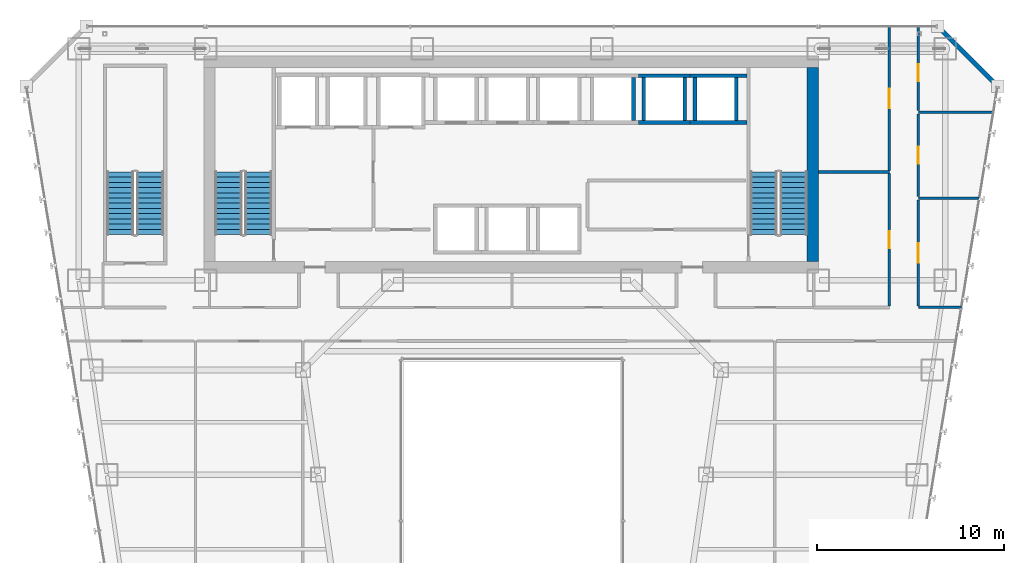
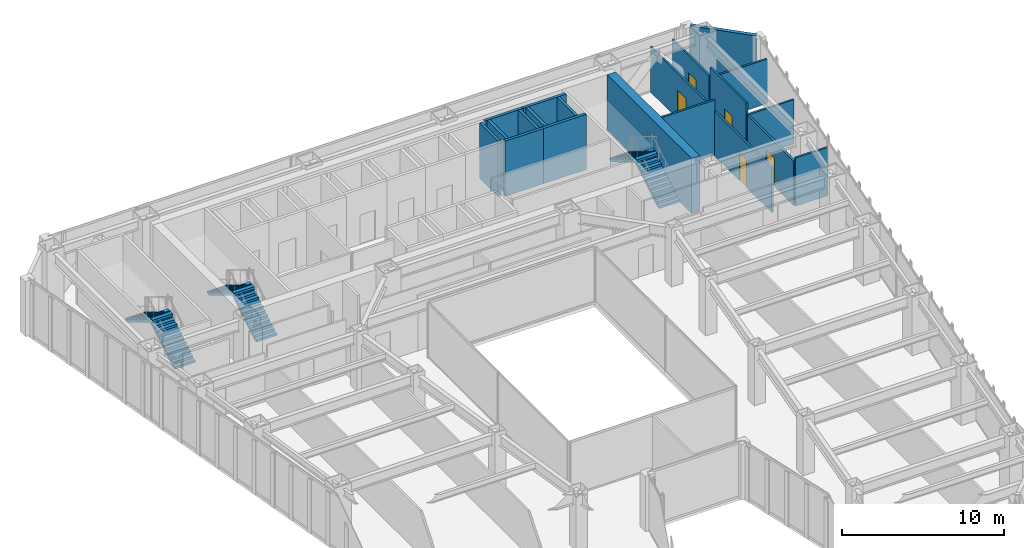
# One storey, part 38 of 47: 20 walls, 6 stair flights, 5 doors, 5 openings, 3 elements without a shape of their own.
"""IFC4 building model written with IfcOpenShell, lengths in metres."""

import ifcopenshell
import ifcopenshell.guid

model = None  # the IFC model being written
_history = None  # IfcOwnerHistory: only IFC2X3 demands one
_inside = {}  # id of a spatial element -> (the spatial element, [elements in it])
_under = {}  # id of a project, library or spatial element -> (it, [spatial elements below it])
_declared = {}  # id of a project -> (the project, [libraries it declares])
_typed = {}  # id of a type object -> (the type object, [elements of that type])
_made_of = {}  # id of a material, layer set ... -> (it, [elements and type objects made of it])


def new_model(schema):
    """Start an empty IFC model of exactly this schema.

    Asked for "IFC4X3", IfcOpenShell would pick the latest addendum, in which some entities
    have other attributes; the version numbers below select the first issue.
    IFC2X3 requires an IfcOwnerHistory on every rooted entity: one is made here for all.
    """
    global model, _history
    if schema == "IFC4X3":
        model = ifcopenshell.file(schema_version=(4, 3, 0, 0))
    else:
        model = ifcopenshell.file(schema=schema)
    _inside.clear()
    _under.clear()
    _declared.clear()
    _typed.clear()
    _made_of.clear()
    _history = None
    if model.schema == "IFC2X3":
        org = make("IfcOrganization", Name="unknown")
        user = make(
            "IfcPersonAndOrganization",
            ThePerson=make("IfcPerson", FamilyName="unknown"),
            TheOrganization=org,
        )
        app = make(
            "IfcApplication",
            ApplicationDeveloper=org,
            Version="unknown",
            ApplicationFullName="unknown",
            ApplicationIdentifier="unknown",
        )
        _history = make(
            "IfcOwnerHistory",
            OwningUser=user,
            OwningApplication=app,
            ChangeAction="ADDED",
            CreationDate=0,
        )
    return model


def make(cls, **values):
    """One entity of the class cls with the attributes given. An attribute that is None is left unset."""
    return model.create_entity(
        cls, **{name: value for name, value in values.items() if value is not None}
    )


def rooted(cls, **values):
    """An entity with a GlobalId (a new one), such as an element, a storey or a relation."""
    return make(cls, GlobalId=ifcopenshell.guid.new(), OwnerHistory=_history, **values)


def si_unit(unit_type, name, prefix=None):
    """IfcSIUnit, for example si_unit("LENGTHUNIT", "METRE", prefix="MILLI")."""
    return make("IfcSIUnit", UnitType=unit_type, Prefix=prefix, Name=name)


def assignment(units):
    """IfcUnitAssignment: the units of a project."""
    return None if units is None else make("IfcUnitAssignment", Units=units)


def point(xyz):
    """IfcCartesianPoint."""
    return None if xyz is None else make("IfcCartesianPoint", Coordinates=xyz)


def direction(xyz):
    """IfcDirection."""
    return None if xyz is None else make("IfcDirection", DirectionRatios=xyz)


def frame(location, z_axis=None, x_axis=None):
    """IfcAxis2Placement3D, a coordinate frame: its origin and axes. An axis left out is left unset."""
    return make(
        "IfcAxis2Placement3D",
        Location=point(location),
        Axis=direction(z_axis),
        RefDirection=direction(x_axis),
    )


def frame_2d(location, x_axis=None):
    """IfcAxis2Placement2D, a coordinate frame in the plane: its origin and x axis."""
    return make(
        "IfcAxis2Placement2D", Location=point(location), RefDirection=direction(x_axis)
    )


def origin():
    """The frame at (0, 0, 0) with its axes left unset."""
    return frame((0.0, 0.0, 0.0))


def place(relative_to, where):
    """IfcLocalPlacement: puts the frame where relative to a parent placement (None: the world)."""
    return make(
        "IfcLocalPlacement", PlacementRelTo=relative_to, RelativePlacement=where
    )


def context(
    kind, dimensions, precision=None, world=None, true_north=None, identifier=None
):
    """IfcGeometricRepresentationContext, for example the 3D "Model" context."""
    return make(
        "IfcGeometricRepresentationContext",
        ContextIdentifier=identifier,
        ContextType=kind,
        CoordinateSpaceDimension=dimensions,
        Precision=precision,
        WorldCoordinateSystem=world,
        TrueNorth=true_north,
    )


def subcontext(parent, identifier, kind, view, scale=None):
    """IfcGeometricRepresentationSubContext, for example "Body" below "Model"."""
    return make(
        "IfcGeometricRepresentationSubContext",
        ContextIdentifier=identifier,
        ContextType=kind,
        ParentContext=parent,
        TargetScale=scale,
        TargetView=view,
    )


def project(units=None, contexts=None):
    """IfcProject with its units and contexts."""
    return rooted(
        "IfcProject",
        Name="project",
        RepresentationContexts=contexts,
        UnitsInContext=assignment(units),
    )


def spatial(cls, under=None, at=None, **own):
    """A site, building, storey or space (cls), placed at a placement, below another one or the project."""
    s = rooted(cls, ObjectPlacement=at, **own)
    if under is not None:
        _under.setdefault(under.id(), (under, []))[1].append(s)
    return s


def polyline(points):
    """IfcPolyline through the points."""
    return make("IfcPolyline", Points=[point(p) for p in points])


def profile(cls, at=None, kind="AREA", **sizes):
    """A parametric profile (cls). Its sizes go by their IFC names, for example OverallWidth=200.0."""
    return make(cls, ProfileType=kind, Position=at, **sizes)


def rectangle(**sizes):
    """IfcRectangleProfileDef."""
    return profile("IfcRectangleProfileDef", **sizes)


def outline(outer, holes=None, kind="AREA"):
    """IfcArbitraryClosedProfileDef: a profile drawn as a closed curve; with holes, ...WithVoids."""
    if holes is None:
        return make("IfcArbitraryClosedProfileDef", ProfileType=kind, OuterCurve=outer)
    return make(
        "IfcArbitraryProfileDefWithVoids",
        ProfileType=kind,
        OuterCurve=outer,
        InnerCurves=holes,
    )


def extrude(swept, where, along, depth):
    """IfcExtrudedAreaSolid: the profile swept, set in the frame where, extruded along a direction by depth."""
    return make(
        "IfcExtrudedAreaSolid",
        SweptArea=swept,
        Position=where,
        ExtrudedDirection=direction(along),
        Depth=depth,
    )


def shape(context_of_items, identifier, shape_type, items):
    """IfcShapeRepresentation: the items that make up one representation, for example the "Body"."""
    return make(
        "IfcShapeRepresentation",
        ContextOfItems=context_of_items,
        RepresentationIdentifier=identifier,
        RepresentationType=shape_type,
        Items=items,
    )


def material(Name=None, Category=None):
    """IfcMaterial."""
    return make("IfcMaterial", Name=Name, Category=Category)


def layer(
    of_material, thickness, ventilated=None, Name=None, Category=None, Priority=None
):
    """IfcMaterialLayer: one layer of a wall or slab, of a material (None: an air gap)."""
    return make(
        "IfcMaterialLayer",
        Material=of_material,
        LayerThickness=thickness,
        IsVentilated=ventilated,
        Name=Name,
        Category=Category,
        Priority=Priority,
    )


def layer_set(layers, Name=None):
    """IfcMaterialLayerSet."""
    return make("IfcMaterialLayerSet", MaterialLayers=layers, LayerSetName=Name)


def made_of(thing, what):
    """Note that an element or type object is made of a material, layer set ...; save() writes the relation."""
    if what is not None:
        _made_of.setdefault(what.id(), (what, []))[1].append(thing)
    return thing


def type_object(cls, material=None, **own):
    """A type object (cls), such as IfcWallType, which elements share."""
    return made_of(rooted(cls, **own), material)


def element(
    cls,
    number,
    at=None,
    inside=None,
    cuts=None,
    type_object=None,
    material=None,
    context=None,
    identifier="Body",
    shape_type=None,
    held_by="IfcProductDefinitionShape",
    body=None,
    shapes=None,
    **own,
):
    """One element of the class cls, such as IfcWall. Its Tag is "e" and its number.

    at: its placement. inside: the storey or other place that contains it. cuts: it is an
    opening in that element (IfcRelVoidsElement). A single representation is given by context,
    identifier, shape_type and body (its items); several are given by shapes. held_by: the class
    of the entity that holds the representations. save() writes the other relations.
    """
    e = rooted(cls, Tag="e%d" % number, ObjectPlacement=at, **own)
    if body is not None:
        shapes = [shape(context, identifier, shape_type, body)]
    if shapes is not None:
        e.Representation = make(held_by, Representations=shapes)
    if inside is not None:
        _inside.setdefault(inside.id(), (inside, []))[1].append(e)
    if cuts is not None:
        rooted(
            "IfcRelVoidsElement", RelatingBuildingElement=cuts, RelatedOpeningElement=e
        )
    if type_object is not None:
        _typed.setdefault(type_object.id(), (type_object, []))[1].append(e)
    return made_of(e, material)


def fill(opening, filler):
    """IfcRelFillsElement: the door or window that sits in an opening."""
    return rooted(
        "IfcRelFillsElement",
        RelatingOpeningElement=opening,
        RelatedBuildingElement=filler,
    )


def aggregate(whole, parts):
    """IfcRelAggregates: a whole, such as a stair, and the parts it consists of."""
    return rooted("IfcRelAggregates", RelatingObject=whole, RelatedObjects=parts)


def save(model, path):
    """Write the relations noted so far, then the file.

    IfcRelAggregates (storeys below a building ...), IfcRelContainedInSpatialStructure (elements
    in a storey), IfcRelDefinesByType, IfcRelAssociatesMaterial and IfcRelDeclares: one each for
    every whole, place, type object, material and project.
    """
    for whole, parts in _under.values():
        aggregate(whole, parts)
    for where, things in _inside.values():
        rooted(
            "IfcRelContainedInSpatialStructure",
            RelatedElements=things,
            RelatingStructure=where,
        )
    for kind, things in _typed.values():
        rooted("IfcRelDefinesByType", RelatedObjects=things, RelatingType=kind)
    for what, things in _made_of.values():
        rooted("IfcRelAssociatesMaterial", RelatedObjects=things, RelatingMaterial=what)
    for by, libraries in _declared.values():
        rooted("IfcRelDeclares", RelatingContext=by, RelatedDefinitions=libraries)
    model.write(path)


model = new_model("IFC4")

# Units and contexts
model_context = context("Model", 3, precision=1e-05, world=origin(), true_north=direction((0.0, 1.0)))
body_context = subcontext(model_context, "Body", "Model", "MODEL_VIEW")
ifc_project = project(units=[si_unit("LENGTHUNIT", "METRE"), si_unit("AREAUNIT", "SQUARE_METRE"), si_unit("VOLUMEUNIT", "CUBIC_METRE"), si_unit("PLANEANGLEUNIT", "RADIAN"), si_unit("MASSUNIT", "GRAM", prefix="KILO")], contexts=[model_context])

# Site, building, storey
site_placement = place(None, origin())
site = spatial("IfcSite", under=ifc_project, at=site_placement, CompositionType="ELEMENT")
building_placement = place(site_placement, origin())
building = spatial("IfcBuilding", under=site, at=building_placement, Name="Saevonmaru Cultural Tower", CompositionType="ELEMENT")
storey_placement = place(building_placement, frame((0.0, 0.0, 47.199951171875)))
storey = spatial("IfcBuildingStorey", under=building, at=storey_placement, Name="L09", CompositionType="ELEMENT", Elevation=47.199951171875)

# Walls
ifc_material_1 = material(Name="Concrete C60/75", Category="concrete")
ifc_layer_1 = layer(ifc_material_1, 0.60009765625, Name="Concrete C60/75")
ifc_layer_set_1 = layer_set([ifc_layer_1], Name="Concrete C60/75")
wall_type_1 = type_object("IfcWallType", Name="WL-CORE-600", PredefinedType="SHEAR", material=ifc_layer_set_1)
wall_1_placement = place(storey_placement, frame((46.10009765625, 43.39990234375, 0.0), z_axis=(0.0, 0.0, 1.0), x_axis=(0.0, 1.0, 0.0)))
element("IfcWall", 1, at=wall_1_placement, inside=storey, type_object=wall_type_1, Name="L09 Tower RC core shear wall E", PredefinedType="SHEAR", context=body_context, shape_type="SweptSolid", body=[
    extrude(rectangle(XDim=10.400146484375, YDim=0.60009765625, at=frame_2d((5.2001953125, 0.0))), origin(), (0.0, 0.0, 1.0), 4.150146484375),
])
ifc_material_2 = material(Name="Granite-Clad Precast Concrete C40/50", Category="masonry")
ifc_layer_2 = layer(ifc_material_2, 0.260009765625, Name="Granite-Clad Precast Concrete C40/50")
ifc_layer_set_2 = layer_set([ifc_layer_2], Name="Granite-Clad Precast Concrete C40/50")
wall_type_2 = type_object("IfcWallType", Name="WL-EXT-SPANDREL-260", PredefinedType="STANDARD", material=ifc_layer_set_2)
wall_2_placement = place(storey_placement, frame((55.886962890625, 52.9130859375, 0.0), z_axis=(0.0, 0.0, 1.0), x_axis=(-0.707106781187, 0.707106781187, 0.0)))
element("IfcWall", 2, at=wall_2_placement, inside=storey, type_object=wall_type_2, Name="L09 Chamfer Corner Spandrel Wall E9", PredefinedType="STANDARD", context=body_context, shape_type="SweptSolid", body=[
    extrude(rectangle(XDim=4.205810546875, YDim=0.260009765625, at=frame_2d((2.10302734375, 0.0))), origin(), (0.0, 0.0, 1.0), 4.150146484375),
])

# Wall, opening, door
ifc_material_3 = material(Name="Gypsum Fireboard Partition", Category="gypsum")
ifc_layer_3 = layer(ifc_material_3, 0.14990234375, Name="Gypsum Fireboard Partition")
ifc_layer_set_3 = layer_set([ifc_layer_3], Name="Gypsum Fireboard Partition")
wall_type_3 = type_object("IfcWallType", Name="WL-PART-FIRE-150", PredefinedType="PARTITIONING", material=ifc_layer_set_3)
wall_3_placement = place(storey_placement, frame((51.75, 41.03759765625, 0.0), z_axis=(0.0, 0.0, 1.0), x_axis=(0.0, 1.0, 0.0)))
wall_3 = element("IfcWall", 3, at=wall_3_placement, inside=storey, type_object=wall_type_3, Name="L09 Special Collections Gallery Corridor Wall", PredefinedType="PARTITIONING", context=body_context, shape_type="SweptSolid", body=[
    extrude(rectangle(XDim=5.6748046875, YDim=0.14990234375, at=frame_2d((2.83740234375, 0.0))), origin(), (0.0, 0.0, 1.0), 3.3349609375),
])
opening_1_placement = place(wall_3_placement, frame((2.31201171875, 0.0, 0.0)))
opening_1 = element("IfcOpeningElement", 4, at=opening_1_placement, cuts=wall_3, Name="Opening ID-1", PredefinedType="OPENING", context=body_context, shape_type="SweptSolid", body=[
    extrude(rectangle(XDim=1.050048828125, YDim=2.14990234375, at=frame_2d((0.52490234375, 1.074951171875))), frame((0.0, 0.0849609375, 0.0), z_axis=(0.0, -1.0, 0.0), x_axis=(1.0, 0.0, 0.0)), (0.0, 0.0, 1.0), 0.169921875),
])
ifc_material_4 = material(Name="Satin Bronze Anodised Aluminium", Category="aluminium")
door_type_1 = type_object("IfcDoorType", Name="DR-INT-1050", OperationType="SINGLE_SWING_LEFT", PredefinedType="DOOR", material=ifc_material_4)
door_1_placement = place(opening_1_placement, origin())
door_1 = element("IfcDoor", 5, at=door_1_placement, inside=storey, type_object=door_type_1, Name="L09 Special Collections Gallery Door", OperationType="SINGLE_SWING_RIGHT", OverallHeight=2.14990234375, OverallWidth=1.050048828125, PredefinedType="DOOR", context=body_context, shape_type="SweptSolid", body=[
    extrude(rectangle(XDim=1.050048828125, YDim=2.14990234375, at=frame_2d((0.52490234375, 1.074951171875))), frame((0.0, 0.02490234375, 0.0), z_axis=(0.0, -1.0, 0.0), x_axis=(1.0, 0.0, 0.0)), (0.0, 0.0, 1.0), 0.050048828125),
])
fill(opening_1, door_1)

ifc_layer_4 = layer(ifc_material_3, 0.1201171875, Name="Gypsum Fireboard Partition")
ifc_layer_set_4 = layer_set([ifc_layer_4], Name="Gypsum Fireboard Partition")
wall_type_4 = type_object("IfcWallType", Name="WL-PART-GYP-120", PredefinedType="PARTITIONING", material=ifc_layer_set_4)
wall_4_placement = place(storey_placement, frame((50.199951171875, 48.2900390625, 0.0), z_axis=(0.0, 0.0, 1.0), x_axis=(0.0, 1.0, 0.0)))
wall_4 = element("IfcWall", 6, at=wall_4_placement, inside=storey, type_object=wall_type_4, Name="L09 Rare Manuscript Reading Room Corridor Wall", PredefinedType="PARTITIONING", context=body_context, shape_type="SweptSolid", body=[
    extrude(rectangle(XDim=7.705078125, YDim=0.1201171875, at=frame_2d((3.8525390625, 0.0))), origin(), (0.0, 0.0, 1.0), 3.43505859375),
])
opening_2_placement = place(wall_4_placement, frame((3.326904296875, 0.0, 0.0)))
opening_2 = element("IfcOpeningElement", 7, at=opening_2_placement, cuts=wall_4, Name="Opening ID-1", PredefinedType="OPENING", context=body_context, shape_type="SweptSolid", body=[
    extrude(rectangle(XDim=1.050048828125, YDim=2.14990234375, at=frame_2d((0.52490234375, 1.074951171875))), frame((0.0, 0.070068359375, 0.0), z_axis=(0.0, -1.0, 0.0), x_axis=(1.0, 0.0, 0.0)), (0.0, 0.0, 1.0), 0.14013671875),
])
door_2_placement = place(opening_2_placement, origin())
door_2 = element("IfcDoor", 8, at=door_2_placement, inside=storey, type_object=door_type_1, Name="L09 Rare Manuscript Reading Room Door", OperationType="SINGLE_SWING_LEFT", OverallHeight=2.14990234375, OverallWidth=1.050048828125, PredefinedType="DOOR", context=body_context, shape_type="SweptSolid", body=[
    extrude(rectangle(XDim=1.050048828125, YDim=2.14990234375, at=frame_2d((0.52490234375, 1.074951171875))), frame((0.0, 0.02490234375, 0.0), z_axis=(0.0, -1.0, 0.0), x_axis=(1.0, 0.0, 0.0)), (0.0, 0.0, 1.0), 0.050048828125),
])
fill(opening_2, door_2)

wall_5_placement = place(storey_placement, frame((51.75, 46.887451171875, 0.0), z_axis=(0.0, 0.0, 1.0), x_axis=(0.0, 1.0, 0.0)))
wall_5 = element("IfcWall", 9, at=wall_5_placement, inside=storey, type_object=wall_type_4, Name="L09 Scholarly Colloquium Meeting Room Corridor Wall", PredefinedType="PARTITIONING", context=body_context, shape_type="SweptSolid", body=[
    extrude(rectangle(XDim=4.425048828125, YDim=0.1201171875, at=frame_2d((2.21240234375, 0.0))), origin(), (0.0, 0.0, 1.0), 4.150146484375),
])
opening_3_placement = place(wall_5_placement, frame((1.761962890625, 0.0, 0.0)))
opening_3 = element("IfcOpeningElement", 10, at=opening_3_placement, cuts=wall_5, Name="Opening ID-2", PredefinedType="OPENING", context=body_context, shape_type="SweptSolid", body=[
    extrude(rectangle(XDim=0.89990234375, YDim=2.10009765625, at=frame_2d((0.449951171875, 1.050048828125))), frame((0.0, 0.070068359375, 0.0), z_axis=(0.0, -1.0, 0.0), x_axis=(1.0, 0.0, 0.0)), (0.0, 0.0, 1.0), 0.14013671875),
])
ifc_material_5 = material(Name="Acoustic Stained Oak Timber", Category="wood")
door_type_2 = type_object("IfcDoorType", Name="DR-INT-900", OperationType="SINGLE_SWING_RIGHT", PredefinedType="DOOR", material=ifc_material_5)
door_3_placement = place(opening_3_placement, origin())
door_3 = element("IfcDoor", 11, at=door_3_placement, inside=storey, type_object=door_type_2, Name="L09 Scholarly Colloquium Meeting Room Door", OperationType="SINGLE_SWING_LEFT", OverallHeight=2.10009765625, OverallWidth=0.89990234375, PredefinedType="DOOR", context=body_context, shape_type="SweptSolid", body=[
    extrude(rectangle(XDim=0.89990234375, YDim=2.10009765625, at=frame_2d((0.449951171875, 1.050048828125))), frame((0.0, 0.02490234375, 0.0), z_axis=(0.0, -1.0, 0.0), x_axis=(1.0, 0.0, 0.0)), (0.0, 0.0, 1.0), 0.050048828125),
])
fill(opening_3, door_3)

wall_6_placement = place(storey_placement, frame((51.75, 51.487548828125, 0.0), z_axis=(0.0, 0.0, 1.0), x_axis=(0.0, 1.0, 0.0)))
wall_6 = element("IfcWall", 12, at=wall_6_placement, inside=storey, type_object=wall_type_4, Name="L09 Digital Humanities Office Corridor Wall", PredefinedType="PARTITIONING", context=body_context, shape_type="SweptSolid", body=[
    extrude(rectangle(XDim=4.507568359375, YDim=0.1201171875, at=frame_2d((2.25390625, 0.0))), origin(), (0.0, 0.0, 1.0), 3.43505859375),
])
opening_4_placement = place(wall_6_placement, frame((1.583984375, 0.0, 0.0)))
opening_4 = element("IfcOpeningElement", 13, at=opening_4_placement, cuts=wall_6, Name="Opening ID-2", PredefinedType="OPENING", context=body_context, shape_type="SweptSolid", body=[
    extrude(rectangle(XDim=0.89990234375, YDim=2.10009765625, at=frame_2d((0.449951171875, 1.050048828125))), frame((0.0, 0.070068359375, 0.0), z_axis=(0.0, -1.0, 0.0), x_axis=(1.0, 0.0, 0.0)), (0.0, 0.0, 1.0), 0.14013671875),
])
door_4_placement = place(opening_4_placement, origin())
door_4 = element("IfcDoor", 14, at=door_4_placement, inside=storey, type_object=door_type_2, Name="L09 Digital Humanities Office Door", OperationType="SINGLE_SWING_RIGHT", OverallHeight=2.10009765625, OverallWidth=0.89990234375, PredefinedType="DOOR", context=body_context, shape_type="SweptSolid", body=[
    extrude(rectangle(XDim=0.89990234375, YDim=2.10009765625, at=frame_2d((0.449951171875, 1.050048828125))), frame((0.0, 0.02490234375, 0.0), z_axis=(0.0, -1.0, 0.0), x_axis=(1.0, 0.0, 0.0)), (0.0, 0.0, 1.0), 0.050048828125),
])
fill(opening_4, door_4)

# Walls
ifc_layer_5 = layer(ifc_material_3, 0.135009765625, Name="Gypsum Fireboard Partition")
ifc_layer_set_5 = layer_set([ifc_layer_5], Name="Gypsum Fireboard Partition")
wall_type_5 = type_object("IfcWallType", Name="WL-PART-GYP-135", PredefinedType="PARTITIONING", material=ifc_layer_set_5)
wall_7_placement = place(storey_placement, frame((51.75, 40.949951171875, 0.0), z_axis=(0.0, 0.0, 1.0), x_axis=(1.0, 0.0, 0.0)))
element("IfcWall", 15, at=wall_7_placement, inside=storey, type_object=wall_type_5, Name="L09 NE Wing South Wall", PredefinedType="PARTITIONING", context=body_context, shape_type="SweptSolid", body=[
    extrude(rectangle(XDim=2.302978515625, YDim=0.135009765625, at=frame_2d((1.1513671875, 0.0))), origin(), (0.0, 0.0, 1.0), 3.635009765625),
])
wall_8_placement = place(storey_placement, frame((51.75, 46.800048828125, 0.0), z_axis=(0.0, 0.0, 1.0), x_axis=(1.0, 0.0, 0.0)))
element("IfcWall", 16, at=wall_8_placement, inside=storey, type_object=wall_type_5, Name="L09 NE Studio Divider 1", PredefinedType="PARTITIONING", context=body_context, shape_type="SweptSolid", body=[
    extrude(rectangle(XDim=3.26171875, YDim=0.135009765625, at=frame_2d((1.630859375, 0.0))), origin(), (0.0, 0.0, 1.0), 3.3349609375),
])
wall_9_placement = place(storey_placement, frame((51.75, 51.39990234375, 0.0), z_axis=(0.0, 0.0, 1.0), x_axis=(1.0, 0.0, 0.0)))
element("IfcWall", 17, at=wall_9_placement, inside=storey, type_object=wall_type_5, Name="L09 NE Studio Divider 2", PredefinedType="PARTITIONING", context=body_context, shape_type="SweptSolid", body=[
    extrude(rectangle(XDim=4.015380859375, YDim=0.135009765625, at=frame_2d((2.0078125, 0.0))), origin(), (0.0, 0.0, 1.0), 3.3349609375),
])
ifc_layer_6 = layer(ifc_material_3, 0.139892578125, Name="Gypsum Fireboard Partition")
ifc_layer_set_6 = layer_set([ifc_layer_6], Name="Gypsum Fireboard Partition")
wall_type_6 = type_object("IfcWallType", Name="WL-PART-WET-140", PredefinedType="PARTITIONING", material=ifc_layer_set_6)
wall_10_placement = place(storey_placement, frame((46.419921875, 48.199951171875, 0.0), z_axis=(0.0, 0.0, 1.0), x_axis=(1.0, 0.0, 0.0)))
element("IfcWall", 18, at=wall_10_placement, inside=storey, type_object=wall_type_6, Name="L09 Washroom North Wall", PredefinedType="PARTITIONING", context=body_context, shape_type="SweptSolid", body=[
    extrude(rectangle(XDim=3.780029296875, YDim=0.139892578125, at=frame_2d((1.89013671875, 0.0))), origin(), (0.0, 0.0, 1.0), 4.150146484375),
])

# Wall, opening, door
wall_11_placement = place(storey_placement, frame((50.199951171875, 41.0400390625, 0.0), z_axis=(0.0, 0.0, 1.0), x_axis=(0.0, 1.0, 0.0)))
wall_11 = element("IfcWall", 19, at=wall_11_placement, inside=storey, type_object=wall_type_6, Name="L09 Washroom Corridor Wall", PredefinedType="PARTITIONING", context=body_context, shape_type="SweptSolid", body=[
    extrude(rectangle(XDim=7.070068359375, YDim=0.139892578125, at=frame_2d((3.53515625, 0.0))), origin(), (0.0, 0.0, 1.0), 3.3349609375),
])
opening_5_placement = place(wall_11_placement, frame((3.0849609375, 0.0, 0.0)))
opening_5 = element("IfcOpeningElement", 20, at=opening_5_placement, cuts=wall_11, Name="Opening ID-2", PredefinedType="OPENING", context=body_context, shape_type="SweptSolid", body=[
    extrude(rectangle(XDim=0.89990234375, YDim=2.10009765625, at=frame_2d((0.449951171875, 1.050048828125))), frame((0.0, 0.080078125, 0.0), z_axis=(0.0, -1.0, 0.0), x_axis=(1.0, 0.0, 0.0)), (0.0, 0.0, 1.0), 0.159912109375),
])
door_5_placement = place(opening_5_placement, origin())
door_5 = element("IfcDoor", 21, at=door_5_placement, inside=storey, type_object=door_type_2, Name="L09 Public Accessible Washrooms Door", OperationType="SINGLE_SWING_RIGHT", OverallHeight=2.10009765625, OverallWidth=0.89990234375, PredefinedType="DOOR", context=body_context, shape_type="SweptSolid", body=[
    extrude(rectangle(XDim=0.89990234375, YDim=2.10009765625, at=frame_2d((0.449951171875, 1.050048828125))), frame((0.0, 0.02490234375, 0.0), z_axis=(0.0, -1.0, 0.0), x_axis=(1.0, 0.0, 0.0)), (0.0, 0.0, 1.0), 0.050048828125),
])
fill(opening_5, door_5)

# Walls
ifc_material_6 = material(Name="Concrete C40/50", Category="concrete")
ifc_layer_7 = layer(ifc_material_6, 0.199951171875, Name="Concrete C40/50")
ifc_layer_set_7 = layer_set([ifc_layer_7], Name="Concrete C40/50")
wall_type_7 = type_object("IfcWallType", Name="WL-SHAFT-200", PredefinedType="SHEAR", material=ifc_layer_set_7)
wall_12_placement = place(storey_placement, frame((36.5, 50.949951171875, 0.0), z_axis=(0.0, 0.0, 1.0), x_axis=(0.0, 1.0, 0.0)))
element("IfcWall", 22, at=wall_12_placement, inside=storey, type_object=wall_type_7, Name="L09 Lift PL-H1 Hoistway Wall E", PredefinedType="SHEAR", context=body_context, shape_type="SweptSolid", body=[
    extrude(rectangle(XDim=2.300048828125, YDim=0.199951171875, at=frame_2d((1.14990234375, 0.0))), origin(), (0.0, 0.0, 1.0), 4.150146484375),
])
for number, where, z_axis, x_axis, name in (
    (23, (36.77490234375, 50.85009765625, 0.0), (0.0, 0.0, 1.0), (1.0, 0.0, 0.0), "L09 Lift PL-H2 Hoistway Wall S"),
    (24, (36.77490234375, 53.35009765625, 0.0), (0.0, 0.0, 1.0), (1.0, 0.0, 0.0), "L09 Lift PL-H2 Hoistway Wall N"),
):
    element("IfcWall", number, at=place(storey_placement, frame(where, z_axis=z_axis, x_axis=x_axis)), inside=storey, type_object=wall_type_7, Name=name, PredefinedType="SHEAR", context=body_context, shape_type="SweptSolid", body=[
        extrude(rectangle(XDim=2.75, YDim=0.199951171875, at=frame_2d((1.375, 0.0))), origin(), (0.0, 0.0, 1.0), 4.150146484375),
    ])
for number, where, z_axis, x_axis, name in (
    (25, (37.050048828125, 50.949951171875, 0.0), (0.0, 0.0, 1.0), (0.0, 1.0, 0.0), "L09 Lift PL-H2 Hoistway Wall W"),
    (26, (39.25, 50.949951171875, 0.0), (0.0, 0.0, 1.0), (0.0, 1.0, 0.0), "L09 Lift PL-H2 Hoistway Wall E"),
):
    element("IfcWall", number, at=place(storey_placement, frame(where, z_axis=z_axis, x_axis=x_axis)), inside=storey, type_object=wall_type_7, Name=name, PredefinedType="SHEAR", context=body_context, shape_type="SweptSolid", body=[
        extrude(rectangle(XDim=2.300048828125, YDim=0.199951171875, at=frame_2d((1.14990234375, 0.0))), origin(), (0.0, 0.0, 1.0), 4.150146484375),
    ])
for number, where, z_axis, x_axis, name in (
    (27, (39.52490234375, 50.85009765625, 0.0), (0.0, 0.0, 1.0), (1.0, 0.0, 0.0), "L09 Lift PL-H3 Hoistway Wall S"),
    (28, (39.52490234375, 53.35009765625, 0.0), (0.0, 0.0, 1.0), (1.0, 0.0, 0.0), "L09 Lift PL-H3 Hoistway Wall N"),
):
    element("IfcWall", number, at=place(storey_placement, frame(where, z_axis=z_axis, x_axis=x_axis)), inside=storey, type_object=wall_type_7, Name=name, PredefinedType="SHEAR", context=body_context, shape_type="SweptSolid", body=[
        extrude(rectangle(XDim=3.045166015625, YDim=0.199951171875, at=frame_2d((1.5224609375, 0.0))), origin(), (0.0, 0.0, 1.0), 4.150146484375),
    ])
for number, where, z_axis, x_axis, name in (
    (29, (39.800048828125, 50.949951171875, 0.0), (0.0, 0.0, 1.0), (0.0, 1.0, 0.0), "L09 Lift PL-H3 Hoistway Wall W"),
    (30, (42.0, 50.949951171875, 0.0), (0.0, 0.0, 1.0), (0.0, 1.0, 0.0), "L09 Lift PL-H3 Hoistway Wall E"),
):
    element("IfcWall", number, at=place(storey_placement, frame(where, z_axis=z_axis, x_axis=x_axis)), inside=storey, type_object=wall_type_7, Name=name, PredefinedType="SHEAR", context=body_context, shape_type="SweptSolid", body=[
        extrude(rectangle(XDim=2.300048828125, YDim=0.199951171875, at=frame_2d((1.14990234375, 0.0))), origin(), (0.0, 0.0, 1.0), 4.150146484375),
    ])

# Stair, stair flights
stair_type = type_object("IfcStairType", Name="STR-DOGLEG-RC", PredefinedType="HALF_TURN_STAIR", material=ifc_material_6)
stair_1_placement = place(storey_placement, origin())
stair_1 = element("IfcStair", 31, at=stair_1_placement, inside=storey, type_object=stair_type, Name="L09 Protected exit stair ST-1", PredefinedType="HALF_TURN_STAIR")
ifc_material_7 = material(Name="Precast concrete C40/50", Category="concrete")
stair_flight_type = type_object("IfcStairFlightType", Name="STF-PRECAST-180", PredefinedType="STRAIGHT", material=ifc_material_7)
stair_flight_1_placement = place(storey_placement, frame((16.425048828125, 44.85009765625, 0.0), z_axis=(0.0, 0.0, 1.0), x_axis=(0.0, 1.0, 0.0)))
stair_flight_1 = element("IfcStairFlight", 32, at=stair_flight_1_placement, type_object=stair_flight_type, Name="ST-1-L09 flight 1", NumberOfRisers=13, NumberOfTreads=12, PredefinedType="STRAIGHT", RiserHeight=0.169230769, TreadLength=0.28, context=body_context, shape_type="SweptSolid", body=[
    extrude(outline(polyline([(0.0, 0.0), (0.0, 0.169189453125), (0.280029296875, 0.169189453125), (0.280029296875, 0.33837890625), (0.56005859375, 0.33837890625), (0.56005859375, 0.5078125), (0.840087890625, 0.5078125), (0.840087890625, 0.677001953125), (1.1201171875, 0.677001953125), (1.1201171875, 0.84619140625), (1.39990234375, 0.84619140625), (1.39990234375, 1.015380859375), (1.679931640625, 1.015380859375), (1.679931640625, 1.1845703125), (1.9599609375, 1.1845703125), (1.9599609375, 1.353759765625), (2.239990234375, 1.353759765625), (2.239990234375, 1.523193359375), (2.52001953125, 1.523193359375), (2.52001953125, 1.6923828125), (2.800048828125, 1.6923828125), (2.800048828125, 1.861572265625), (3.080078125, 1.861572265625), (3.080078125, 2.03076171875), (3.360107421875, 2.03076171875), (3.360107421875, 2.199951171875), (3.360107421875, 1.855712890625), (0.289794921875, 0.0), (0.0, 0.0)])), frame((0.0, 0.72509765625, 0.0), z_axis=(0.0, -1.0, 0.0), x_axis=(1.0, 0.0, 0.0)), (0.0, 0.0, 1.0), 1.449951171875),
])
stair_flight_2_placement = place(storey_placement, frame((14.824951171875, 48.2099609375, 2.199951171875), z_axis=(0.0, 0.0, 1.0), x_axis=(0.0, -1.0, 0.0)))
stair_flight_2 = element("IfcStairFlight", 33, at=stair_flight_2_placement, type_object=stair_flight_type, Name="ST-1-L09 flight 2", NumberOfRisers=13, NumberOfTreads=12, PredefinedType="STRAIGHT", RiserHeight=0.169230769, TreadLength=0.28, context=body_context, shape_type="SweptSolid", body=[
    extrude(outline(polyline([(0.0, 0.0), (0.0, 0.169189453125), (0.280029296875, 0.169189453125), (0.280029296875, 0.33837890625), (0.56005859375, 0.33837890625), (0.56005859375, 0.5078125), (0.840087890625, 0.5078125), (0.840087890625, 0.677001953125), (1.1201171875, 0.677001953125), (1.1201171875, 0.84619140625), (1.39990234375, 0.84619140625), (1.39990234375, 1.015380859375), (1.679931640625, 1.015380859375), (1.679931640625, 1.1845703125), (1.9599609375, 1.1845703125), (1.9599609375, 1.353759765625), (2.239990234375, 1.353759765625), (2.239990234375, 1.523193359375), (2.52001953125, 1.523193359375), (2.52001953125, 1.6923828125), (2.800048828125, 1.6923828125), (2.800048828125, 1.861572265625), (3.080078125, 1.861572265625), (3.080078125, 2.03076171875), (3.360107421875, 2.03076171875), (3.360107421875, 2.199951171875), (3.360107421875, 1.855712890625), (0.289794921875, 0.0), (0.0, 0.0)])), frame((0.0, 0.72509765625, 0.0), z_axis=(0.0, -1.0, 0.0), x_axis=(1.0, 0.0, 0.0)), (0.0, 0.0, 1.0), 1.449951171875),
])
aggregate(stair_1, [stair_flight_1, stair_flight_2])

stair_2_placement = place(storey_placement, origin())
stair_2 = element("IfcStair", 34, at=stair_2_placement, inside=storey, type_object=stair_type, Name="L09 Protected exit stair ST-2", PredefinedType="HALF_TURN_STAIR")
stair_flight_3_placement = place(storey_placement, frame((45.074951171875, 44.85009765625, 0.0), z_axis=(0.0, 0.0, 1.0), x_axis=(0.0, 1.0, 0.0)))
stair_flight_3 = element("IfcStairFlight", 35, at=stair_flight_3_placement, type_object=stair_flight_type, Name="ST-2-L09 flight 1", NumberOfRisers=13, NumberOfTreads=12, PredefinedType="STRAIGHT", RiserHeight=0.169230769, TreadLength=0.28, context=body_context, shape_type="SweptSolid", body=[
    extrude(outline(polyline([(0.0, 0.0), (0.0, 0.169189453125), (0.280029296875, 0.169189453125), (0.280029296875, 0.33837890625), (0.56005859375, 0.33837890625), (0.56005859375, 0.5078125), (0.840087890625, 0.5078125), (0.840087890625, 0.677001953125), (1.1201171875, 0.677001953125), (1.1201171875, 0.84619140625), (1.39990234375, 0.84619140625), (1.39990234375, 1.015380859375), (1.679931640625, 1.015380859375), (1.679931640625, 1.1845703125), (1.9599609375, 1.1845703125), (1.9599609375, 1.353759765625), (2.239990234375, 1.353759765625), (2.239990234375, 1.523193359375), (2.52001953125, 1.523193359375), (2.52001953125, 1.6923828125), (2.800048828125, 1.6923828125), (2.800048828125, 1.861572265625), (3.080078125, 1.861572265625), (3.080078125, 2.03076171875), (3.360107421875, 2.03076171875), (3.360107421875, 2.199951171875), (3.360107421875, 1.855712890625), (0.289794921875, 0.0), (0.0, 0.0)])), frame((0.0, 0.72509765625, 0.0), z_axis=(0.0, -1.0, 0.0), x_axis=(1.0, 0.0, 0.0)), (0.0, 0.0, 1.0), 1.449951171875),
])
stair_flight_4_placement = place(storey_placement, frame((43.47509765625, 48.2099609375, 2.199951171875), z_axis=(0.0, 0.0, 1.0), x_axis=(0.0, -1.0, 0.0)))
stair_flight_4 = element("IfcStairFlight", 36, at=stair_flight_4_placement, type_object=stair_flight_type, Name="ST-2-L09 flight 2", NumberOfRisers=13, NumberOfTreads=12, PredefinedType="STRAIGHT", RiserHeight=0.169230769, TreadLength=0.28, context=body_context, shape_type="SweptSolid", body=[
    extrude(outline(polyline([(0.0, 0.0), (0.0, 0.169189453125), (0.280029296875, 0.169189453125), (0.280029296875, 0.33837890625), (0.56005859375, 0.33837890625), (0.56005859375, 0.5078125), (0.840087890625, 0.5078125), (0.840087890625, 0.677001953125), (1.1201171875, 0.677001953125), (1.1201171875, 0.84619140625), (1.39990234375, 0.84619140625), (1.39990234375, 1.015380859375), (1.679931640625, 1.015380859375), (1.679931640625, 1.1845703125), (1.9599609375, 1.1845703125), (1.9599609375, 1.353759765625), (2.239990234375, 1.353759765625), (2.239990234375, 1.523193359375), (2.52001953125, 1.523193359375), (2.52001953125, 1.6923828125), (2.800048828125, 1.6923828125), (2.800048828125, 1.861572265625), (3.080078125, 1.861572265625), (3.080078125, 2.03076171875), (3.360107421875, 2.03076171875), (3.360107421875, 2.199951171875), (3.360107421875, 1.855712890625), (0.289794921875, 0.0), (0.0, 0.0)])), frame((0.0, 0.72509765625, 0.0), z_axis=(0.0, -1.0, 0.0), x_axis=(1.0, 0.0, 0.0)), (0.0, 0.0, 1.0), 1.449951171875),
])
aggregate(stair_2, [stair_flight_3, stair_flight_4])

stair_3_placement = place(storey_placement, origin())
stair_3 = element("IfcStair", 37, at=stair_3_placement, inside=storey, type_object=stair_type, Name="L09 Protected exit stair ST-3", PredefinedType="HALF_TURN_STAIR")
stair_flight_5_placement = place(storey_placement, frame((10.625, 44.85009765625, 0.0), z_axis=(0.0, 0.0, 1.0), x_axis=(0.0, 1.0, 0.0)))
stair_flight_5 = element("IfcStairFlight", 38, at=stair_flight_5_placement, type_object=stair_flight_type, Name="ST-3-L09 flight 1", NumberOfRisers=13, NumberOfTreads=12, PredefinedType="STRAIGHT", RiserHeight=0.169230769, TreadLength=0.28, context=body_context, shape_type="SweptSolid", body=[
    extrude(outline(polyline([(0.0, 0.0), (0.0, 0.169189453125), (0.280029296875, 0.169189453125), (0.280029296875, 0.33837890625), (0.56005859375, 0.33837890625), (0.56005859375, 0.5078125), (0.840087890625, 0.5078125), (0.840087890625, 0.677001953125), (1.1201171875, 0.677001953125), (1.1201171875, 0.84619140625), (1.39990234375, 0.84619140625), (1.39990234375, 1.015380859375), (1.679931640625, 1.015380859375), (1.679931640625, 1.1845703125), (1.9599609375, 1.1845703125), (1.9599609375, 1.353759765625), (2.239990234375, 1.353759765625), (2.239990234375, 1.523193359375), (2.52001953125, 1.523193359375), (2.52001953125, 1.6923828125), (2.800048828125, 1.6923828125), (2.800048828125, 1.861572265625), (3.080078125, 1.861572265625), (3.080078125, 2.03076171875), (3.360107421875, 2.03076171875), (3.360107421875, 2.199951171875), (3.360107421875, 1.855712890625), (0.289794921875, 0.0), (0.0, 0.0)])), frame((0.0, 0.72509765625, 0.0), z_axis=(0.0, -1.0, 0.0), x_axis=(1.0, 0.0, 0.0)), (0.0, 0.0, 1.0), 1.449951171875),
])
stair_flight_6_placement = place(storey_placement, frame((9.02490234375, 48.2099609375, 2.199951171875), z_axis=(0.0, 0.0, 1.0), x_axis=(0.0, -1.0, 0.0)))
stair_flight_6 = element("IfcStairFlight", 39, at=stair_flight_6_placement, type_object=stair_flight_type, Name="ST-3-L09 flight 2", NumberOfRisers=13, NumberOfTreads=12, PredefinedType="STRAIGHT", RiserHeight=0.169230769, TreadLength=0.28, context=body_context, shape_type="SweptSolid", body=[
    extrude(outline(polyline([(0.0, 0.0), (0.0, 0.169189453125), (0.280029296875, 0.169189453125), (0.280029296875, 0.33837890625), (0.56005859375, 0.33837890625), (0.56005859375, 0.5078125), (0.840087890625, 0.5078125), (0.840087890625, 0.677001953125), (1.1201171875, 0.677001953125), (1.1201171875, 0.84619140625), (1.39990234375, 0.84619140625), (1.39990234375, 1.015380859375), (1.679931640625, 1.015380859375), (1.679931640625, 1.1845703125), (1.9599609375, 1.1845703125), (1.9599609375, 1.353759765625), (2.239990234375, 1.353759765625), (2.239990234375, 1.523193359375), (2.52001953125, 1.523193359375), (2.52001953125, 1.6923828125), (2.800048828125, 1.6923828125), (2.800048828125, 1.861572265625), (3.080078125, 1.861572265625), (3.080078125, 2.03076171875), (3.360107421875, 2.03076171875), (3.360107421875, 2.199951171875), (3.360107421875, 1.855712890625), (0.289794921875, 0.0), (0.0, 0.0)])), frame((0.0, 0.72509765625, 0.0), z_axis=(0.0, -1.0, 0.0), x_axis=(1.0, 0.0, 0.0)), (0.0, 0.0, 1.0), 1.449951171875),
])
aggregate(stair_3, [stair_flight_5, stair_flight_6])

save(model, "model.ifc")
